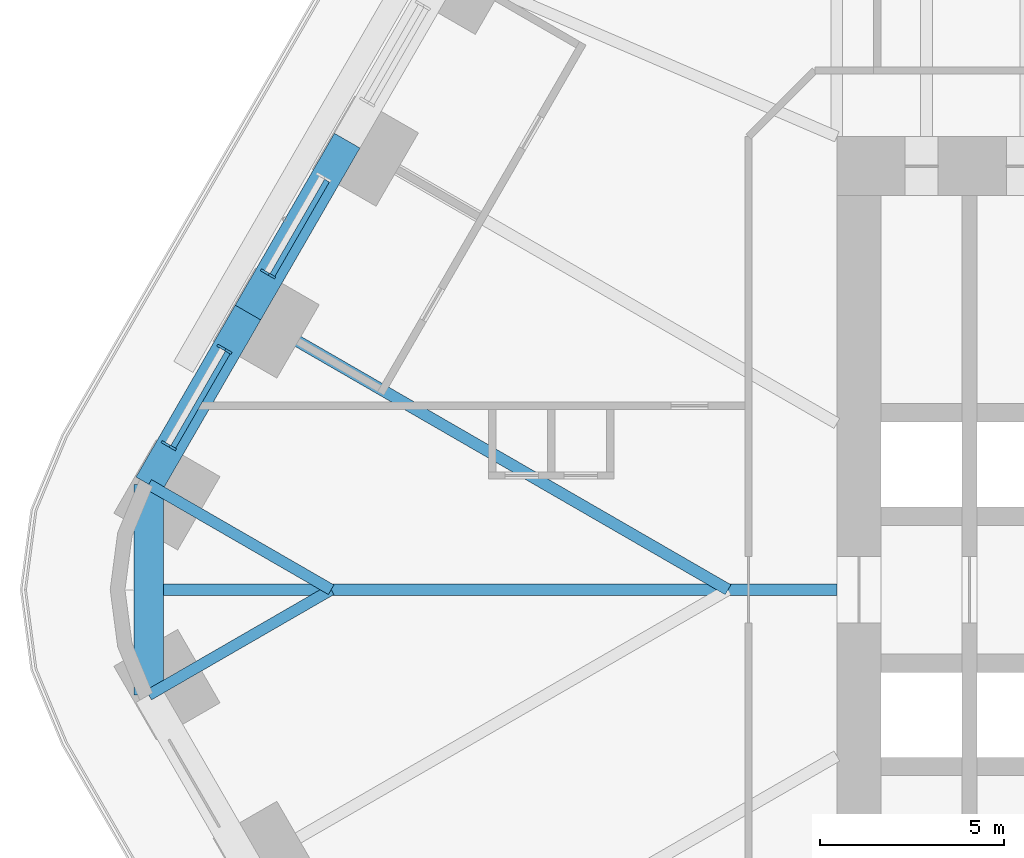
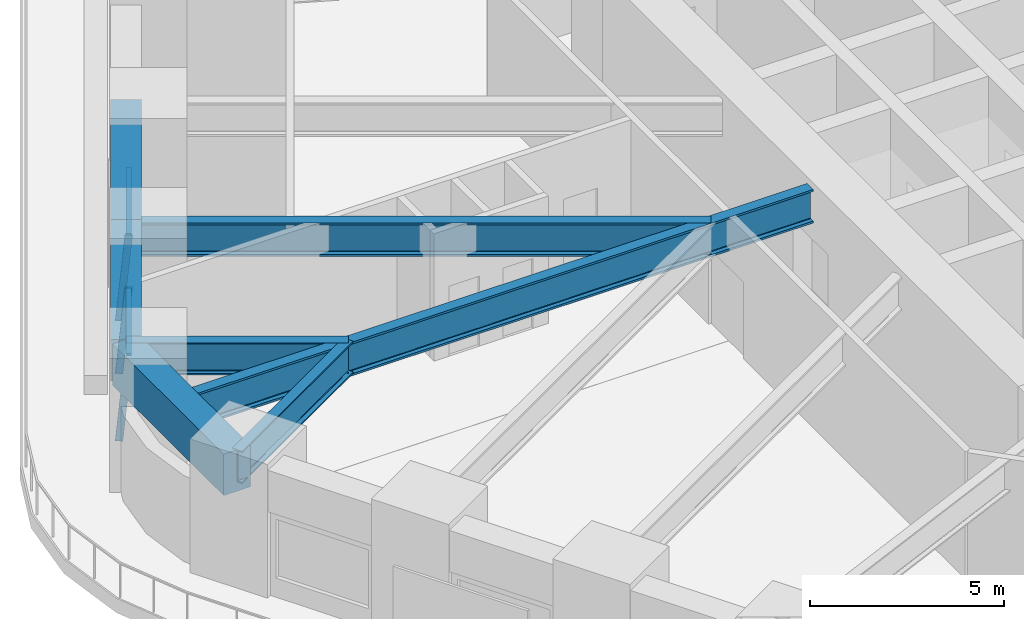
# One storey, part 6 of 23: 7 beams, 5 members, 2 elements without a shape of their own.
"""IFC4 building model written with IfcOpenShell, lengths in metres."""

from ifc_helpers import new_model, si_unit, direction, frame, origin, origin_2d, place, context, subcontext, project, spatial, rectangle, i_section, extrude, material, material_profile, profile_set, type_object, element, aggregate, save


model = new_model("IFC4")

# Units and contexts
model_context = context("Model", 3, precision=1e-05, world=origin(), true_north=direction((0.0, 1.0)))
body_context = subcontext(model_context, "Body", "Model", "MODEL_VIEW")
ifc_project = project(units=[si_unit("LENGTHUNIT", "METRE"), si_unit("AREAUNIT", "SQUARE_METRE"), si_unit("VOLUMEUNIT", "CUBIC_METRE"), si_unit("PLANEANGLEUNIT", "RADIAN"), si_unit("MASSUNIT", "GRAM", prefix="KILO")], contexts=[model_context])

# Site, building, storey
site_placement = place(None, origin())
site = spatial("IfcSite", under=ifc_project, at=site_placement, CompositionType="ELEMENT")
building_placement = place(site_placement, origin())
building = spatial("IfcBuilding", under=site, at=building_placement, Name="Tarfa Lantern Tower", CompositionType="ELEMENT")
storey_placement = place(building_placement, frame((0.0, 0.0, 40.300048828125)))
storey = spatial("IfcBuildingStorey", under=building, at=storey_placement, Name="L08", CompositionType="ELEMENT", Elevation=40.300048828125)

# Curtain wall, member
ifc_material_1 = material(Name="Aluminium framed curtain wall", Category="aluminium")
curtain_wall_type = type_object("IfcCurtainWallType", Name="CW1 CANTED GLAZING LOW ZONE 2700", PredefinedType="USERDEFINED", material=ifc_material_1)
curtain_wall_1_placement = place(storey_placement, origin())
curtain_wall_1 = element("IfcCurtainWall", 1, at=curtain_wall_1_placement, inside=storey, type_object=curtain_wall_type, Name="CW1 NW L08", ObjectType="CURTAIN WALL", PredefinedType="USERDEFINED")
ifc_material_2 = material(Name="Aluminium mullion", Category="aluminium")
ifc_material_profile_1 = material_profile(ifc_material_2, rectangle(XDim=0.06494140625, YDim=0.199951171875, at=origin_2d()), Name="AL MULLION 65x200")
ifc_profile_set_1 = profile_set([ifc_material_profile_1], Name="Aluminium mullion")
member_type_1 = type_object("IfcMemberType", Name="CWM1 MULLION 65x200", PredefinedType="MULLION", material=ifc_profile_set_1)
member_1_placement = place(storey_placement, frame((-34.155517578125, 8.640625, 0.0), z_axis=(0.079774955866, -0.04610020023, 0.995746317068), x_axis=(0.500342721131, 0.865827443207, 0.0)))
member_1 = element("IfcMember", 2, at=member_1_placement, type_object=member_type_1, Name="CW1 mullion 2", PredefinedType="MULLION", context=body_context, shape_type="SweptSolid", body=[
    extrude(rectangle(XDim=0.06494140625, YDim=0.199951171875, at=origin_2d()), origin(), (0.0, 0.0, 1.0), 2.71142578125),
])

# Curtain wall, members
curtain_wall_2_placement = place(storey_placement, origin())
curtain_wall_2 = element("IfcCurtainWall", 3, at=curtain_wall_2_placement, inside=storey, type_object=curtain_wall_type, Name="CW1 NW L08", ObjectType="CURTAIN WALL", PredefinedType="USERDEFINED")
member_2_placement = place(storey_placement, frame((-35.338134765625, 6.592529296875, 0.0), z_axis=(0.07986442134, -0.046099868913, 0.99573916077), x_axis=(0.499919672301, 0.866071776036, 0.0)))
member_2 = element("IfcMember", 4, at=member_2_placement, type_object=member_type_1, Name="CW1 mullion 1", PredefinedType="MULLION", context=body_context, shape_type="SweptSolid", body=[
    extrude(rectangle(XDim=0.06494140625, YDim=0.199951171875, at=origin_2d()), origin(), (0.0, 0.0, 1.0), 2.71142578125),
])
member_3_placement = place(storey_placement, frame((-36.849853515625, 3.97412109375, 0.0), z_axis=(0.07986442134, -0.046099868913, 0.99573916077), x_axis=(0.499919672301, 0.866071776036, 0.0)))
member_3 = element("IfcMember", 5, at=member_3_placement, type_object=member_type_1, Name="CW1 mullion 2", PredefinedType="MULLION", context=body_context, shape_type="SweptSolid", body=[
    extrude(rectangle(XDim=0.06494140625, YDim=0.199951171875, at=origin_2d()), origin(), (0.0, 0.0, 1.0), 2.71142578125),
])

# Member
ifc_material_3 = material(Name="Aluminium transom", Category="aluminium")
ifc_material_profile_2 = material_profile(ifc_material_3, rectangle(XDim=0.14990234375, YDim=0.06494140625, at=origin_2d()), Name="AL TRANSOM 150x65")
ifc_profile_set_2 = profile_set([ifc_material_profile_2], Name="Aluminium transom")
member_type_2 = type_object("IfcMemberType", Name="CWT1 TRANSOM 150x65", PredefinedType="USERDEFINED", material=ifc_profile_set_2)
member_4_placement = place(storey_placement, frame((-32.446044921875, 11.107666015625, 2.66748046875), z_axis=(-0.50004387232, -0.866000072607, 0.0), x_axis=(0.866000072607, -0.50004387232, 0.0)))
member_4 = element("IfcMember", 6, at=member_4_placement, type_object=member_type_2, Name="CW1 transom 1.2", ObjectType="TRANSOM", PredefinedType="USERDEFINED", context=body_context, shape_type="SweptSolid", body=[
    extrude(rectangle(XDim=0.14990234375, YDim=0.06494140625, at=origin_2d()), origin(), (0.0, 0.0, 1.0), 2.958740234375),
])

aggregate(curtain_wall_1, [member_1, member_4])

member_5_placement = place(storey_placement, frame((-35.140380859375, 6.44091796875, 2.66748046875), z_axis=(-0.50004387232, -0.866000072607, 0.0), x_axis=(0.866000072607, -0.50004387232, 0.0)))
member_5 = element("IfcMember", 7, at=member_5_placement, type_object=member_type_2, Name="CW1 transom 1.2", ObjectType="TRANSOM", PredefinedType="USERDEFINED", context=body_context, shape_type="SweptSolid", body=[
    extrude(rectangle(XDim=0.14990234375, YDim=0.06494140625, at=origin_2d()), origin(), (0.0, 0.0, 1.0), 2.958740234375),
])

aggregate(curtain_wall_2, [member_2, member_3, member_5])

# Beams
ifc_material_4 = material(Name="Concrete C80/95", Category="concrete")
ifc_material_profile_3 = material_profile(ifc_material_4, rectangle(XDim=0.800048828125, YDim=1.300048828125, at=origin_2d()), Name="RC 800x1300")
ifc_profile_set_3 = profile_set([ifc_material_profile_3], Name="Concrete C80/95")
beam_type_1 = type_object("IfcBeamType", Name="EB1 RC 800x1300", PredefinedType="SPANDREL", material=ifc_profile_set_3)
beam_1_placement = place(storey_placement, frame((-31.896728515625, 12.193359375, 3.349853515625), z_axis=(-0.499998287579, -0.866026392449, 0.0), x_axis=(0.866026392449, -0.499998287579, 0.0)))
element("IfcBeam", 8, at=beam_1_placement, inside=storey, type_object=beam_type_1, Name="Edge beam NW4", PredefinedType="SPANDREL", context=body_context, shape_type="SweptSolid", body=[
    extrude(rectangle(XDim=0.800048828125, YDim=1.300048828125, at=origin_2d()), origin(), (0.0, 0.0, 1.0), 5.388671875),
])
beam_2_placement = place(storey_placement, frame((-34.591064453125, 7.526611328125, 3.349853515625), z_axis=(-0.500017906299, -0.866015065331, 0.0), x_axis=(0.866015065331, -0.500017906299, 0.0)))
element("IfcBeam", 9, at=beam_2_placement, inside=storey, type_object=beam_type_1, Name="Edge beam NW5", PredefinedType="SPANDREL", context=body_context, shape_type="SweptSolid", body=[
    extrude(rectangle(XDim=0.800048828125, YDim=1.300048828125, at=origin_2d()), origin(), (0.0, 0.0, 1.0), 5.388427734375),
])
beam_3_placement = place(storey_placement, frame((-37.285400390625, 2.860107421875, 3.349853515625), z_axis=(0.0, -1.0, 0.0), x_axis=(1.0, 0.0, 0.0)))
element("IfcBeam", 10, at=beam_3_placement, inside=storey, type_object=beam_type_1, Name="Edge beam NW6", PredefinedType="SPANDREL", context=body_context, shape_type="SweptSolid", body=[
    extrude(rectangle(XDim=0.800048828125, YDim=1.300048828125, at=origin_2d()), origin(), (0.0, 0.0, 1.0), 5.72021484375),
])
ifc_material_5 = material(Name="Steel S460M", Category="steel")
ifc_material_profile_4 = material_profile(ifc_material_5, i_section(OverallWidth=0.302001953125, OverallDepth=1.008056640625, WebThickness=0.02099609375, FlangeThickness=0.0400390625, FilletRadius=0.030029296875, at=origin_2d()), Name="UB1016x305x349")
ifc_profile_set_4 = profile_set([ifc_material_profile_4], Name="Steel S460M")
beam_type_2 = type_object("IfcBeamType", Name="UB1016x305x349", PredefinedType="BEAM", material=ifc_profile_set_4)
for number, where, z_axis, x_axis, name in (
    (11, (-37.285400390625, 2.860107421875, 3.495849609375), (0.866025668288, -0.499999541866, 0.0), (0.499999541866, 0.866025668288, 0.0), "Floor beam NW6"),
    (12, (-37.285400390625, -2.860107421875, 3.495849609375), (0.866025668288, 0.499999541866, 0.0), (-0.499999541866, 0.866025668288, 0.0), "Floor beam SW0"),
):
    element("IfcBeam", number, at=place(storey_placement, frame(where, z_axis=z_axis, x_axis=x_axis)), inside=storey, type_object=beam_type_2, Name=name, PredefinedType="BEAM", context=body_context, shape_type="SweptSolid", body=[
        extrude(i_section(OverallWidth=0.302001953125, OverallDepth=1.008056640625, WebThickness=0.02099609375, FlangeThickness=0.0400390625, FilletRadius=0.030029296875, at=origin_2d()), origin(), (0.0, 0.0, 1.0), 5.72021484375),
    ])
ifc_material_profile_5 = material_profile(ifc_material_5, i_section(OverallWidth=0.314208984375, OverallDepth=1.055908203125, WebThickness=0.035888671875, FlangeThickness=0.06396484375, FilletRadius=0.030029296875, at=origin_2d()), Name="UB1016x305x584")
ifc_profile_set_5 = profile_set([ifc_material_profile_5], Name="Steel S460M")
beam_type_3 = type_object("IfcBeamType", Name="UB1016x305x584", PredefinedType="BEAM", material=ifc_profile_set_5)
beam_4_placement = place(storey_placement, frame((-18.60009765625, 0.0, 3.471923828125), z_axis=(-1.0, 0.0, 0.0), x_axis=(0.0, -1.0, 0.0)))
element("IfcBeam", 13, at=beam_4_placement, inside=storey, type_object=beam_type_3, Name="Hip girder W", PredefinedType="BEAM", context=body_context, shape_type="SweptSolid", body=[
    extrude(i_section(OverallWidth=0.314208984375, OverallDepth=1.055908203125, WebThickness=0.035888671875, FlangeThickness=0.06396484375, FilletRadius=0.030029296875, at=origin_2d()), origin(), (0.0, 0.0, 1.0), 18.685302734375),
])
beam_5_placement = place(storey_placement, frame((-34.591064453125, 7.526611328125, 3.471923828125), z_axis=(0.86602785945, -0.499995746638, 0.0), x_axis=(0.499995746638, 0.86602785945, 0.0)))
element("IfcBeam", 14, at=beam_5_placement, inside=storey, type_object=beam_type_3, Name="Floor beam NW5", PredefinedType="BEAM", context=body_context, shape_type="SweptSolid", body=[
    extrude(i_section(OverallWidth=0.314208984375, OverallDepth=1.055908203125, WebThickness=0.035888671875, FlangeThickness=0.06396484375, FilletRadius=0.030029296875, at=origin_2d()), origin(), (0.0, 0.0, 1.0), 15.053466796875),
])

save(model, "model.ifc")
